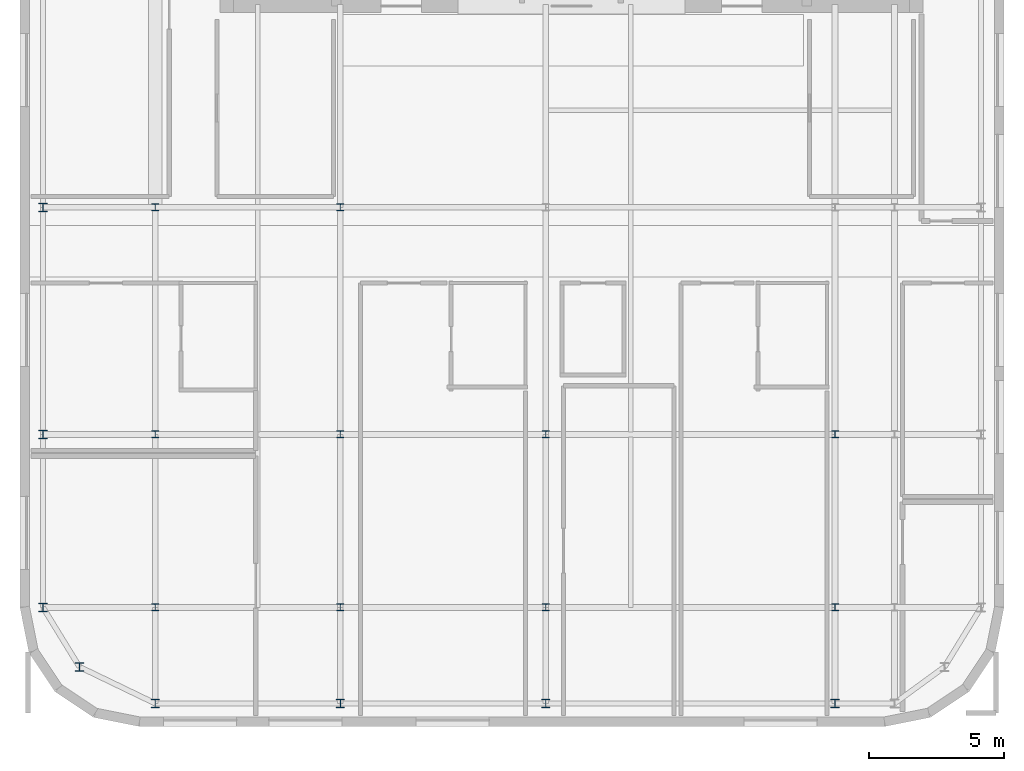
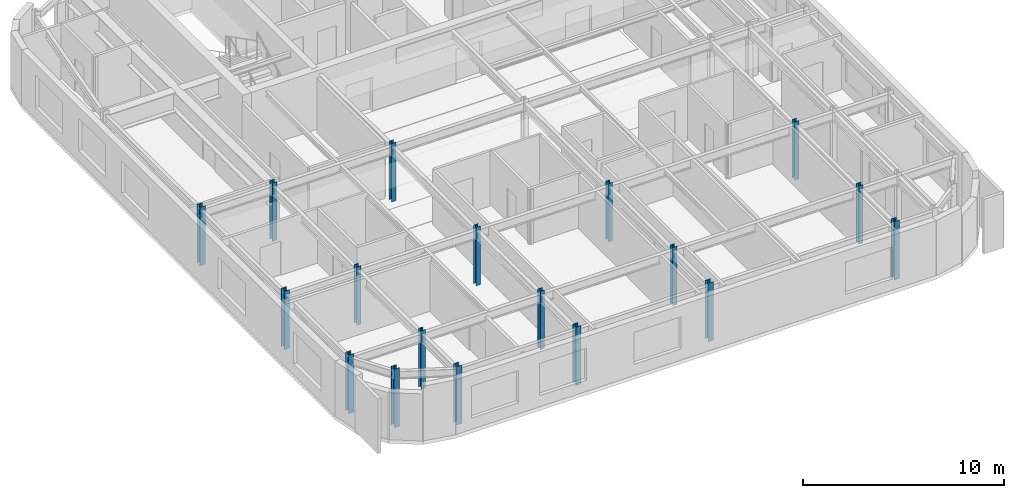
# One storey, part 1 of 12: 18 columns.
"""IFC4 building model written with IfcOpenShell, lengths in metres."""

from ifc_helpers import new_model, si_unit, direction, frame, origin, origin_2d, place, context, subcontext, project, spatial, i_section, extrude, source, transform, mapped, material, material_profile, profile_set, type_object, type_shapes, element, save


model = new_model("IFC4")

# Units and contexts
model_context = context("Model", 3, precision=1e-05, world=origin(), true_north=direction((0.0, 1.0)))
body_context = subcontext(model_context, "Body", "Model", "MODEL_VIEW")
ifc_project = project(units=[si_unit("LENGTHUNIT", "METRE"), si_unit("AREAUNIT", "SQUARE_METRE"), si_unit("VOLUMEUNIT", "CUBIC_METRE"), si_unit("PLANEANGLEUNIT", "RADIAN"), si_unit("MASSUNIT", "GRAM", prefix="KILO")], contexts=[model_context])

# Site, building, storey
site_placement = place(None, origin())
site = spatial("IfcSite", under=ifc_project, at=site_placement, CompositionType="ELEMENT")
building_placement = place(site_placement, origin())
building = spatial("IfcBuilding", under=site, at=building_placement, Name="Tolvann Quenvar Hotel", CompositionType="ELEMENT")
storey_placement = place(building_placement, frame((0.0, 0.0, 275.050048828125)))
storey = spatial("IfcBuildingStorey", under=building, at=storey_placement, Name="L73", CompositionType="ELEMENT", Elevation=275.050048828125)

# Columns
ifc_material = material(Name="Steel Grade 350", Category="steel")
ifc_material_profile_1 = material_profile(ifc_material, i_section(OverallWidth=0.306884765625, OverallDepth=0.31494140625, WebThickness=0.011962890625, FlangeThickness=0.018798828125, FilletRadius=0.0166015625, at=origin_2d()), Name="310UC118")
ifc_profile_set_1 = profile_set([ifc_material_profile_1], Name="Steel Grade 350")
column_type_1 = type_object("IfcColumnType", Name="COL_310UC118", PredefinedType="COLUMN", material=ifc_profile_set_1)
shared_shape_1 = source(origin(), body_context, "Body", "SweptSolid", [
    extrude(i_section(OverallWidth=0.306884765625, OverallDepth=0.31494140625, WebThickness=0.011962890625, FlangeThickness=0.018798828125, FilletRadius=0.0166015625, at=origin_2d()), origin(), (0.0, 0.0, 1.0), 3.550048828125),
])
type_shapes(column_type_1, [shared_shape_1])
for number, where, z_axis, x_axis, name in (
    (1, (4.800048828125, 7.39990234375, 0.0), (0.0, 0.0, 1.0), (1.0, 0.0, 0.0), "Column B2 (L73)"),
    (2, (3.449951171875, 9.60009765625, 0.0), (0.0, 0.0, 1.0), (1.0, 0.0, 0.0), "Column B3 (L73)"),
    (3, (3.449951171875, 16.0, 0.0), (0.0, 0.0, 1.0), (1.0, 0.0, 0.0), "Column B4 (L73)"),
    (4, (3.449951171875, 24.39990234375, 0.0), (0.0, 0.0, 1.0), (1.0, 0.0, 0.0), "Column B5 (L73)"),
    (5, (7.60009765625, 6.050048828125, 0.0), (0.0, 0.0, 1.0), (1.0, 0.0, 0.0), "Column C2 (L73)"),
    (6, (14.449951171875, 6.050048828125, 0.0), (0.0, 0.0, 1.0), (1.0, 0.0, 0.0), "Column D2 (L73)"),
    (7, (22.050048828125, 6.050048828125, 0.0), (0.0, 0.0, 1.0), (1.0, 0.0, 0.0), "Column E2 (L73)"),
    (8, (32.75, 6.050048828125, 0.0), (0.0, 0.0, 1.0), (1.0, 0.0, 0.0), "Column FP2 (L73)"),
):
    element("IfcColumn", number, at=place(storey_placement, frame(where, z_axis=z_axis, x_axis=x_axis)), inside=storey, type_object=column_type_1, Name=name, PredefinedType="COLUMN", context=body_context, shape_type="MappedRepresentation", body=[
        mapped(shared_shape_1, transform((0.0, 0.0, 0.0), x_axis=(1.0, 0.0, 0.0), y_axis=(0.0, 1.0, 0.0), z_axis=(0.0, 0.0, 1.0), scale=1.0)),
    ])
ifc_material_profile_2 = material_profile(ifc_material, i_section(OverallWidth=0.256103515625, OverallDepth=0.260009765625, WebThickness=0.010498046875, FlangeThickness=0.017333984375, FilletRadius=0.013916015625, at=origin_2d()), Name="250UC90")
ifc_profile_set_2 = profile_set([ifc_material_profile_2], Name="Steel Grade 350")
column_type_2 = type_object("IfcColumnType", Name="COL_250UC90", PredefinedType="COLUMN", material=ifc_profile_set_2)
shared_shape_2 = source(origin(), body_context, "Body", "SweptSolid", [
    extrude(i_section(OverallWidth=0.256103515625, OverallDepth=0.260009765625, WebThickness=0.010498046875, FlangeThickness=0.017333984375, FilletRadius=0.013916015625, at=origin_2d()), origin(), (0.0, 0.0, 1.0), 3.550048828125),
])
type_shapes(column_type_2, [shared_shape_2])
for number, where, z_axis, x_axis, name in (
    (9, (7.60009765625, 9.60009765625, 0.0), (0.0, 0.0, 1.0), (1.0, 0.0, 0.0), "Column C3 (L73)"),
    (10, (7.60009765625, 16.0, 0.0), (0.0, 0.0, 1.0), (1.0, 0.0, 0.0), "Column C4 (L73)"),
    (11, (7.60009765625, 24.39990234375, 0.0), (0.0, 0.0, 1.0), (1.0, 0.0, 0.0), "Column C5 (L73)"),
    (12, (14.449951171875, 9.60009765625, 0.0), (0.0, 0.0, 1.0), (1.0, 0.0, 0.0), "Column D3 (L73)"),
    (13, (14.449951171875, 16.0, 0.0), (0.0, 0.0, 1.0), (1.0, 0.0, 0.0), "Column D4 (L73)"),
    (14, (14.449951171875, 24.39990234375, 0.0), (0.0, 0.0, 1.0), (1.0, 0.0, 0.0), "Column D5 (L73)"),
    (15, (22.050048828125, 9.60009765625, 0.0), (0.0, 0.0, 1.0), (1.0, 0.0, 0.0), "Column E3 (L73)"),
    (16, (22.050048828125, 16.0, 0.0), (0.0, 0.0, 1.0), (1.0, 0.0, 0.0), "Column E4 (L73)"),
    (17, (32.75, 9.60009765625, 0.0), (0.0, 0.0, 1.0), (1.0, 0.0, 0.0), "Column FP3 (L73)"),
    (18, (32.75, 16.0, 0.0), (0.0, 0.0, 1.0), (1.0, 0.0, 0.0), "Column FP4 (L73)"),
):
    element("IfcColumn", number, at=place(storey_placement, frame(where, z_axis=z_axis, x_axis=x_axis)), inside=storey, type_object=column_type_2, Name=name, PredefinedType="COLUMN", context=body_context, shape_type="MappedRepresentation", body=[
        mapped(shared_shape_2, transform((0.0, 0.0, 0.0), x_axis=(1.0, 0.0, 0.0), y_axis=(0.0, 1.0, 0.0), z_axis=(0.0, 0.0, 1.0), scale=1.0)),
    ])

save(model, "model.ifc")
